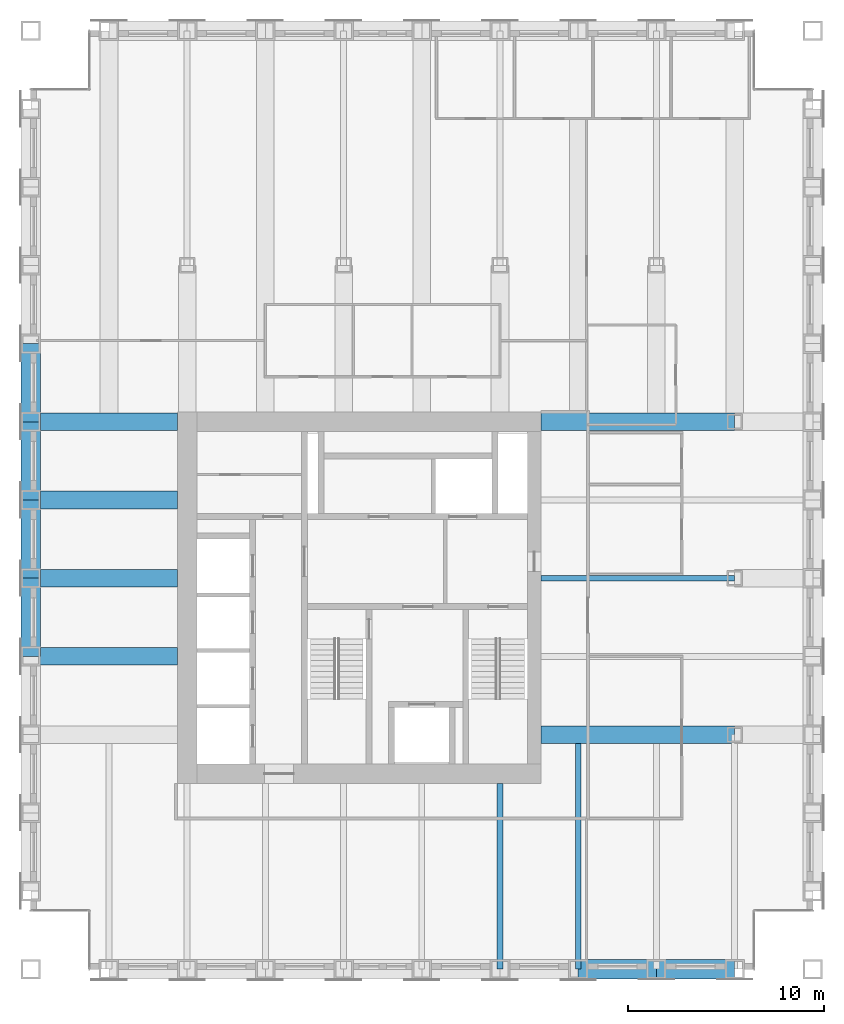
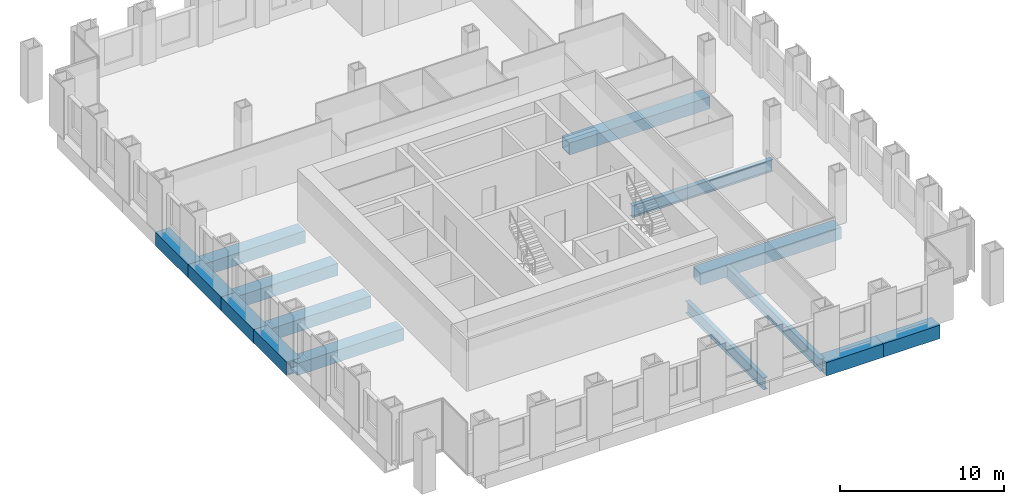
# One storey, part 3 of 13: 15 beams.
"""IFC4 building model written with IfcOpenShell, lengths in metres."""

from ifc_helpers import new_model, si_unit, direction, frame, origin, origin_2d, place, context, subcontext, project, spatial, hollow_rectangle, i_section, extrude, material, material_profile, profile_set, type_object, element, save


model = new_model("IFC4")

# Units and contexts
model_context = context("Model", 3, precision=1e-05, world=origin(), true_north=direction((0.0, 1.0)))
body_context = subcontext(model_context, "Body", "Model", "MODEL_VIEW")
ifc_project = project(units=[si_unit("LENGTHUNIT", "METRE"), si_unit("AREAUNIT", "SQUARE_METRE"), si_unit("VOLUMEUNIT", "CUBIC_METRE"), si_unit("PLANEANGLEUNIT", "RADIAN"), si_unit("MASSUNIT", "GRAM", prefix="KILO")], contexts=[model_context])

# Site, building, storey
site_placement = place(None, origin())
site = spatial("IfcSite", under=ifc_project, at=site_placement, CompositionType="ELEMENT")
building_placement = place(site_placement, origin())
building = spatial("IfcBuilding", under=site, at=building_placement, Name="Rimbunsela Tower", CompositionType="ELEMENT")
storey_placement = place(building_placement, frame((0.0, 0.0, 218.199951171875)))
storey = spatial("IfcBuildingStorey", under=building, at=storey_placement, Name="L52", CompositionType="ELEMENT", Elevation=218.199951171875)

# Beams
ifc_material_1 = material(Name="Steel BJ 55 (fy 410 MPa)", Category="steel")
ifc_material_profile_1 = material_profile(ifc_material_1, hollow_rectangle(XDim=1.0, YDim=1.0, WallThickness=0.10009765625, at=origin_2d()), Name="BOX 1000x1000x100")
ifc_profile_set_1 = profile_set([ifc_material_profile_1], Name="Steel BJ 55 (fy 410 MPa)")
beam_type_1 = type_object("IfcBeamType", Name="Beam BOX 1000x1000x100", PredefinedType="BEAM", material=ifc_profile_set_1)
for number, where, z_axis, x_axis, name in (
    (1, (10.0, 24.0, -0.64990234375), (0.0, 1.0, 0.0), (-1.0, 0.0, 0.0), "Beam B3 L52"),
    (2, (10.0, 28.0, -0.64990234375), (0.0, 1.0, 0.0), (-1.0, 0.0, 0.0), "Beam B3 L52"),
    (3, (10.0, 32.0, -0.64990234375), (0.0, 1.0, 0.0), (-1.0, 0.0, 0.0), "Beam B3 L52"),
    (4, (10.0, 36.0, -0.64990234375), (0.0, 1.0, 0.0), (-1.0, 0.0, 0.0), "Beam B3 L52"),
    (5, (38.0, 8.0, -0.64990234375), (1.0, 0.0, 0.0), (0.0, 1.0, 0.0), "Beam B3 L52"),
    (6, (42.0, 8.0, -0.64990234375), (1.0, 0.0, 0.0), (0.0, 1.0, 0.0), "Beam B3 L52"),
):
    element("IfcBeam", number, at=place(storey_placement, frame(where, z_axis=z_axis, x_axis=x_axis)), inside=storey, type_object=beam_type_1, Name=name, PredefinedType="BEAM", context=body_context, shape_type="SweptSolid", body=[
        extrude(hollow_rectangle(XDim=1.0, YDim=1.0, WallThickness=0.10009765625, at=origin_2d()), origin(), (0.0, 0.0, 1.0), 4.0),
    ])
ifc_material_2 = material(Name="Steel BJ 55 (fy 410 MPa)", Category="steel")
ifc_material_profile_2 = material_profile(ifc_material_2, hollow_rectangle(XDim=0.89990234375, YDim=0.89990234375, WallThickness=0.06005859375, at=origin_2d()), Name="BOX 900x900x60")
ifc_profile_set_2 = profile_set([ifc_material_profile_2], Name="Steel BJ 55 (fy 410 MPa)")
beam_type_2 = type_object("IfcBeamType", Name="Beam BOX 900x900x60", PredefinedType="BEAM", material=ifc_profile_set_2)
for number, where, z_axis, x_axis, name in (
    (7, (10.0, 24.0, -0.599853515625), (1.0, 0.0, 0.0), (0.0, 1.0, 0.0), "Beam B1 L52"),
    (8, (10.0, 28.0, -0.599853515625), (1.0, 0.0, 0.0), (0.0, 1.0, 0.0), "Beam B1 L52"),
    (9, (10.0, 32.0, -0.599853515625), (1.0, 0.0, 0.0), (0.0, 1.0, 0.0), "Beam B1 L52"),
    (10, (10.0, 36.0, -0.599853515625), (1.0, 0.0, 0.0), (0.0, 1.0, 0.0), "Beam B1 L52"),
):
    element("IfcBeam", number, at=place(storey_placement, frame(where, z_axis=z_axis, x_axis=x_axis)), inside=storey, type_object=beam_type_2, Name=name, PredefinedType="BEAM", context=body_context, shape_type="SweptSolid", body=[
        extrude(hollow_rectangle(XDim=0.89990234375, YDim=0.89990234375, WallThickness=0.06005859375, at=origin_2d()), origin(), (0.0, 0.0, 1.0), 7.5),
    ])
for number, where, z_axis, x_axis, name in (
    (11, (36.10009765625, 20.0, -0.599853515625), (1.0, 0.0, 0.0), (0.0, 1.0, 0.0), "Beam B1 L52"),
    (12, (36.10009765625, 36.0, -0.599853515625), (1.0, 0.0, 0.0), (0.0, 1.0, 0.0), "Beam B1 L52"),
):
    element("IfcBeam", number, at=place(storey_placement, frame(where, z_axis=z_axis, x_axis=x_axis)), inside=storey, type_object=beam_type_2, Name=name, PredefinedType="BEAM", context=body_context, shape_type="SweptSolid", body=[
        extrude(hollow_rectangle(XDim=0.89990234375, YDim=0.89990234375, WallThickness=0.06005859375, at=origin_2d()), origin(), (0.0, 0.0, 1.0), 9.89990234375),
    ])
ifc_material_3 = material(Name="Steel BJ 55 (fy 410 MPa)", Category="steel")
ifc_material_profile_3 = material_profile(ifc_material_3, i_section(OverallWidth=0.300048828125, OverallDepth=0.89990234375, WebThickness=0.01611328125, FlangeThickness=0.028076171875, FilletRadius=0.028076171875, at=origin_2d()), Name="H 900x300x16x28")
ifc_profile_set_3 = profile_set([ifc_material_profile_3], Name="Steel BJ 55 (fy 410 MPa)")
beam_type_3 = type_object("IfcBeamType", Name="Beam H 900x300x16x28", PredefinedType="BEAM", material=ifc_profile_set_3)
beam_1_placement = place(storey_placement, frame((34.0, 8.0, -0.599853515625), z_axis=(0.0, 1.0, 0.0), x_axis=(-1.0, 0.0, 0.0)))
element("IfcBeam", 13, at=beam_1_placement, inside=storey, type_object=beam_type_3, Name="Beam B2 L52", PredefinedType="BEAM", context=body_context, shape_type="SweptSolid", body=[
    extrude(i_section(OverallWidth=0.300048828125, OverallDepth=0.89990234375, WebThickness=0.01611328125, FlangeThickness=0.028076171875, FilletRadius=0.028076171875, at=origin_2d()), origin(), (0.0, 0.0, 1.0), 9.5),
])
beam_2_placement = place(storey_placement, frame((36.10009765625, 28.0, -0.599853515625), z_axis=(1.0, 0.0, 0.0), x_axis=(0.0, 1.0, 0.0)))
element("IfcBeam", 14, at=beam_2_placement, inside=storey, type_object=beam_type_3, Name="Beam B2 L52", PredefinedType="BEAM", context=body_context, shape_type="SweptSolid", body=[
    extrude(i_section(OverallWidth=0.300048828125, OverallDepth=0.89990234375, WebThickness=0.01611328125, FlangeThickness=0.028076171875, FilletRadius=0.028076171875, at=origin_2d()), origin(), (0.0, 0.0, 1.0), 9.89990234375),
])
beam_3_placement = place(storey_placement, frame((38.0, 8.0, -0.599853515625), z_axis=(0.0, 1.0, 0.0), x_axis=(-1.0, 0.0, 0.0)))
element("IfcBeam", 15, at=beam_3_placement, inside=storey, type_object=beam_type_3, Name="Beam B2 L52", PredefinedType="BEAM", context=body_context, shape_type="SweptSolid", body=[
    extrude(i_section(OverallWidth=0.300048828125, OverallDepth=0.89990234375, WebThickness=0.01611328125, FlangeThickness=0.028076171875, FilletRadius=0.028076171875, at=origin_2d()), origin(), (0.0, 0.0, 1.0), 11.550048828125),
])

save(model, "model.ifc")
